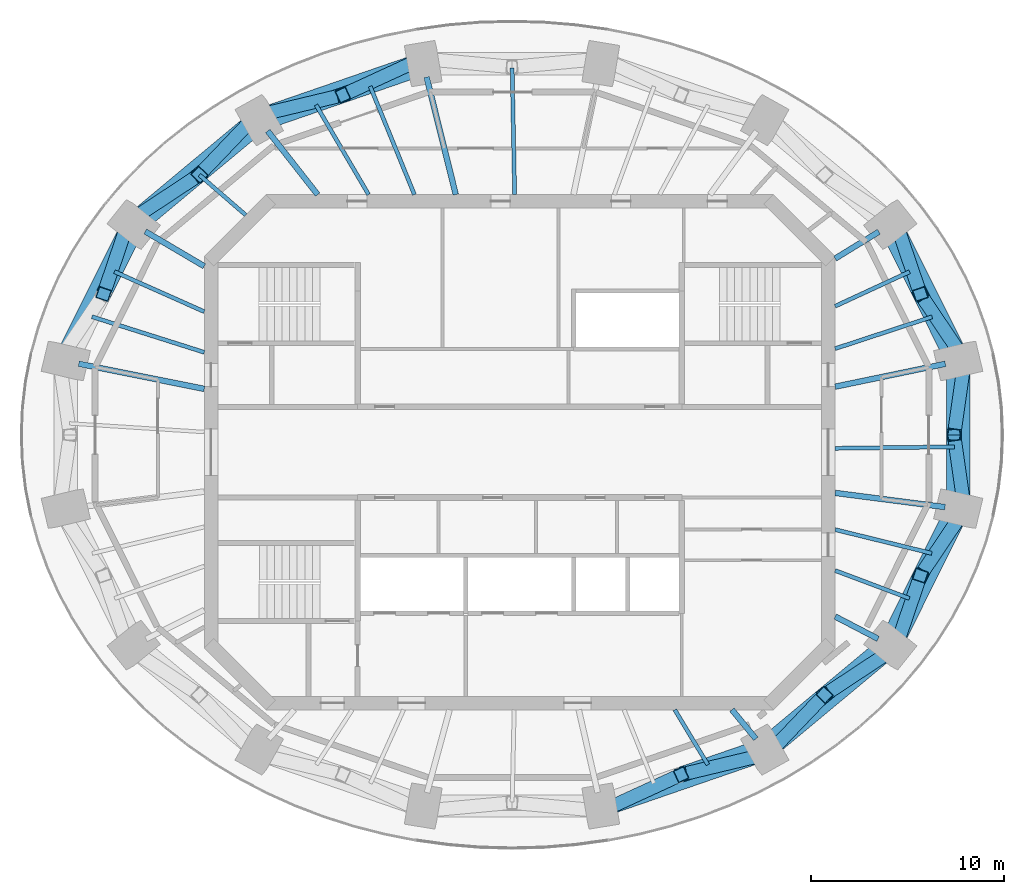
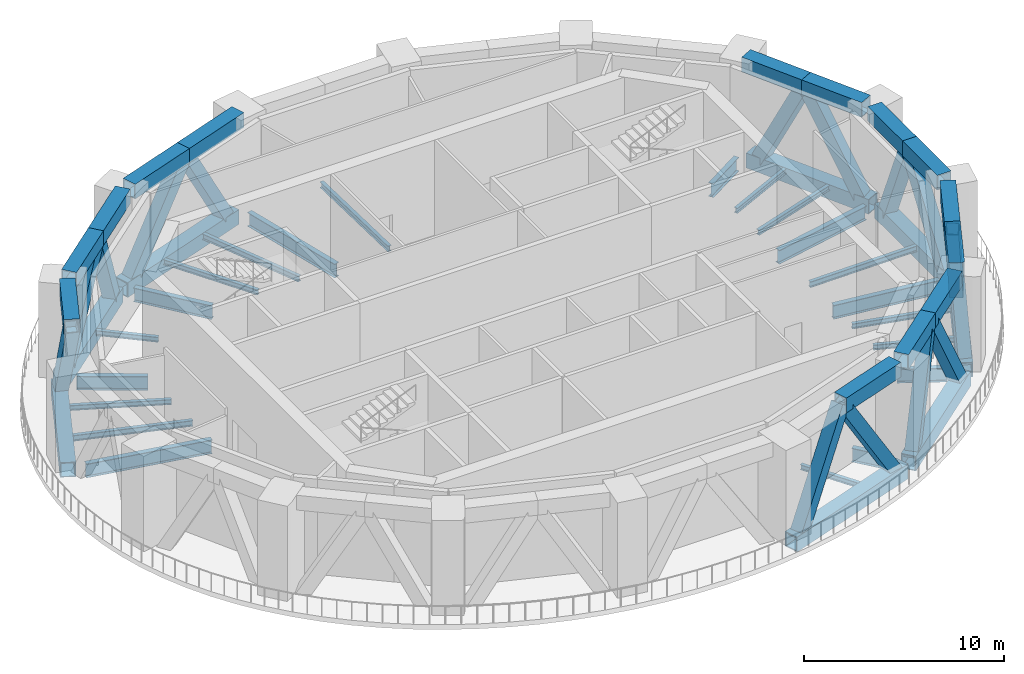
# One storey, part 2 of 9: 37 members, 21 beams.
"""IFC4 building model written with IfcOpenShell, lengths in metres."""

from ifc_helpers import new_model, si_unit, direction, frame, origin, origin_2d, place, context, subcontext, project, spatial, hollow_rectangle, i_section, extrude, material, material_profile, profile_set, type_object, element, save


model = new_model("IFC4")

# Units and contexts
model_context = context("Model", 3, precision=1e-05, world=origin(), true_north=direction((0.0, 1.0)))
body_context = subcontext(model_context, "Body", "Model", "MODEL_VIEW")
ifc_project = project(units=[si_unit("LENGTHUNIT", "METRE"), si_unit("AREAUNIT", "SQUARE_METRE"), si_unit("VOLUMEUNIT", "CUBIC_METRE"), si_unit("PLANEANGLEUNIT", "RADIAN"), si_unit("MASSUNIT", "GRAM", prefix="KILO")], contexts=[model_context])

# Site, building, storey
site_placement = place(None, origin())
site = spatial("IfcSite", under=ifc_project, at=site_placement, CompositionType="ELEMENT")
building_placement = place(site_placement, origin())
building = spatial("IfcBuilding", under=site, at=building_placement, Name="Marenthal Gate Tower", CompositionType="ELEMENT")
storey_placement = place(building_placement, frame((0.0, 0.0, 407.550048828125)))
storey = spatial("IfcBuildingStorey", under=building, at=storey_placement, Name="L92", CompositionType="ELEMENT", Elevation=407.550048828125)

# Beams
ifc_material_1 = material(Name="Steel S355", Category="steel")
ifc_material_profile_1 = material_profile(ifc_material_1, i_section(OverallWidth=0.205078125, OverallDepth=0.31005859375, WebThickness=0.009521484375, FlangeThickness=0.016357421875, FilletRadius=0.0126953125, at=origin_2d()), Name="W310X74")
ifc_profile_set_1 = profile_set([ifc_material_profile_1], Name="Steel S355")
beam_type_1 = type_object("IfcBeamType", Name="W310X74 beam", PredefinedType="BEAM", material=ifc_profile_set_1)
beam_1_placement = place(storey_placement, frame((21.3740234375, 7.015869140625, -0.455078125), z_axis=(-0.950118561426, -0.311888953369, 0.0), x_axis=(0.311888953369, -0.950118561426, 0.0)))
element("IfcBeam", 1, at=beam_1_placement, inside=storey, type_object=beam_type_1, Name="BM-L92-17", PredefinedType="BEAM", context=body_context, shape_type="SweptSolid", body=[
    extrude(i_section(OverallWidth=0.205078125, OverallDepth=0.31005859375, WebThickness=0.009521484375, FlangeThickness=0.016357421875, FilletRadius=0.0126953125, at=origin_2d()), origin(), (0.0, 0.0, 1.0), 5.28759765625),
])
beam_2_placement = place(storey_placement, frame((20.21044921875, 9.35302734375, -0.455078125), z_axis=(-0.907518767411, -0.420011531743, 0.0), x_axis=(0.420011531743, -0.907518767411, 0.0)))
element("IfcBeam", 2, at=beam_2_placement, inside=storey, type_object=beam_type_1, Name="BM-L92-18", PredefinedType="BEAM", context=body_context, shape_type="SweptSolid", body=[
    extrude(i_section(OverallWidth=0.205078125, OverallDepth=0.31005859375, WebThickness=0.009521484375, FlangeThickness=0.016357421875, FilletRadius=0.0126953125, at=origin_2d()), origin(), (0.0, 0.0, 1.0), 4.253662109375),
])
beam_3_placement = place(storey_placement, frame((-10.556396484375, 17.99658203125, -0.455078125), z_axis=(0.505966058557, -0.862553388254, 0.0), x_axis=(0.862553388254, 0.505966058557, 0.0)))
element("IfcBeam", 3, at=beam_3_placement, inside=storey, type_object=beam_type_1, Name="BM-L92-23", PredefinedType="BEAM", context=body_context, shape_type="SweptSolid", body=[
    extrude(i_section(OverallWidth=0.205078125, OverallDepth=0.31005859375, WebThickness=0.009521484375, FlangeThickness=0.016357421875, FilletRadius=0.0126953125, at=origin_2d()), origin(), (0.0, 0.0, 1.0), 5.386962890625),
])
beam_4_placement = place(storey_placement, frame((-16.599365234375, 14.366455078125, -0.455078125), z_axis=(0.756148892586, -0.654399612042, 0.0), x_axis=(0.654399612042, 0.756148892586, 0.0)))
element("IfcBeam", 4, at=beam_4_placement, inside=storey, type_object=beam_type_1, Name="BM-L92-24", PredefinedType="BEAM", context=body_context, shape_type="SweptSolid", body=[
    extrude(i_section(OverallWidth=0.205078125, OverallDepth=0.31005859375, WebThickness=0.009521484375, FlangeThickness=0.016357421875, FilletRadius=0.0126953125, at=origin_2d()), origin(), (0.0, 0.0, 1.0), 3.169677734375),
])
beam_5_placement = place(storey_placement, frame((-21.0078125, 9.358154296875, -0.455078125), z_axis=(0.913457777904, -0.406933517895, 0.0), x_axis=(0.406933517895, 0.913457777904, 0.0)))
element("IfcBeam", 5, at=beam_5_placement, inside=storey, type_object=beam_type_1, Name="BM-L92-25", PredefinedType="BEAM", context=body_context, shape_type="SweptSolid", body=[
    extrude(i_section(OverallWidth=0.205078125, OverallDepth=0.31005859375, WebThickness=0.009521484375, FlangeThickness=0.016357421875, FilletRadius=0.0126953125, at=origin_2d()), origin(), (0.0, 0.0, 1.0), 5.098876953125),
])
beam_6_placement = place(storey_placement, frame((9.751708984375, -16.197998046875, -0.455078125), z_axis=(-0.515791223291, 0.856714312928, 0.0), x_axis=(-0.856714312928, -0.515791223291, 0.0)))
element("IfcBeam", 6, at=beam_6_placement, inside=storey, type_object=beam_type_1, Name="BM-L92-34", PredefinedType="BEAM", context=body_context, shape_type="SweptSolid", body=[
    extrude(i_section(OverallWidth=0.205078125, OverallDepth=0.31005859375, WebThickness=0.009521484375, FlangeThickness=0.016357421875, FilletRadius=0.0126953125, at=origin_2d()), origin(), (0.0, 0.0, 1.0), 3.32421875),
])
beam_7_placement = place(storey_placement, frame((20.197021484375, -7.579833984375, -0.455078125), z_axis=(-0.936229026431, 0.351390395527, 0.0), x_axis=(-0.351390395527, -0.936229026431, 0.0)))
element("IfcBeam", 7, at=beam_7_placement, inside=storey, type_object=beam_type_1, Name="BM-L92-35", PredefinedType="BEAM", context=body_context, shape_type="SweptSolid", body=[
    extrude(i_section(OverallWidth=0.205078125, OverallDepth=0.31005859375, WebThickness=0.009521484375, FlangeThickness=0.016357421875, FilletRadius=0.0126953125, at=origin_2d()), origin(), (0.0, 0.0, 1.0), 4.10888671875),
])
beam_8_placement = place(storey_placement, frame((21.360107421875, -5.244140625, -0.455078125), z_axis=(-0.971161034456, 0.238424506193, 0.0), x_axis=(-0.238424506193, -0.971161034456, 0.0)))
element("IfcBeam", 8, at=beam_8_placement, inside=storey, type_object=beam_type_1, Name="BM-L92-36", PredefinedType="BEAM", context=body_context, shape_type="SweptSolid", body=[
    extrude(i_section(OverallWidth=0.205078125, OverallDepth=0.31005859375, WebThickness=0.009521484375, FlangeThickness=0.016357421875, FilletRadius=0.0126953125, at=origin_2d()), origin(), (0.0, 0.0, 1.0), 5.15869140625),
])
ifc_material_2 = material(Name="Steel S355", Category="steel")
ifc_material_profile_2 = material_profile(ifc_material_2, i_section(OverallWidth=0.205078125, OverallDepth=0.35302734375, WebThickness=0.009521484375, FlangeThickness=0.016845703125, FilletRadius=0.014892578125, at=origin_2d()), Name="W360X79")
ifc_profile_set_2 = profile_set([ifc_material_profile_2], Name="Steel S355")
beam_type_2 = type_object("IfcBeamType", Name="W360X79 beam", PredefinedType="BEAM", material=ifc_profile_set_2)
beam_9_placement = place(storey_placement, frame((-0.39208984375, 19.91943359375, -0.4765625), z_axis=(0.019692924782, -0.999806075553, 0.0), x_axis=(0.999806075553, 0.019692924782, 0.0)))
element("IfcBeam", 9, at=beam_9_placement, inside=storey, type_object=beam_type_2, Name="BM-L92-21", PredefinedType="BEAM", context=body_context, shape_type="SweptSolid", body=[
    extrude(i_section(OverallWidth=0.205078125, OverallDepth=0.35302734375, WebThickness=0.009521484375, FlangeThickness=0.016845703125, FilletRadius=0.014892578125, at=origin_2d()), origin(), (0.0, 0.0, 1.0), 6.570556640625),
])
beam_10_placement = place(storey_placement, frame((-7.751220703125, 18.963134765625, -0.4765625), z_axis=(0.378377295658, -0.925651458234, 0.0), x_axis=(0.925651458234, 0.378377295658, 0.0)))
element("IfcBeam", 10, at=beam_10_placement, inside=storey, type_object=beam_type_2, Name="BM-L92-22", PredefinedType="BEAM", context=body_context, shape_type="SweptSolid", body=[
    extrude(i_section(OverallWidth=0.205078125, OverallDepth=0.35302734375, WebThickness=0.009521484375, FlangeThickness=0.016845703125, FilletRadius=0.014892578125, at=origin_2d()), origin(), (0.0, 0.0, 1.0), 6.06396484375),
])
beam_11_placement = place(storey_placement, frame((-22.172119140625, 7.019775390625, -0.4765625), z_axis=(0.95336005794, -0.301835385476, 0.0), x_axis=(0.301835385476, 0.95336005794, 0.0)))
element("IfcBeam", 11, at=beam_11_placement, inside=storey, type_object=beam_type_2, Name="BM-L92-26", PredefinedType="BEAM", context=body_context, shape_type="SweptSolid", body=[
    extrude(i_section(OverallWidth=0.205078125, OverallDepth=0.35302734375, WebThickness=0.009521484375, FlangeThickness=0.016845703125, FilletRadius=0.014892578125, at=origin_2d()), origin(), (0.0, 0.0, 1.0), 6.10693359375),
])
beam_12_placement = place(storey_placement, frame((22.542724609375, 0.277099609375, -0.4765625), z_axis=(-0.999924358492, -0.012299483534, 0.0), x_axis=(0.012299483534, -0.999924358492, 0.0)))
element("IfcBeam", 12, at=beam_12_placement, inside=storey, type_object=beam_type_2, Name="BM-L92-37", PredefinedType="BEAM", context=body_context, shape_type="SweptSolid", body=[
    extrude(i_section(OverallWidth=0.205078125, OverallDepth=0.35302734375, WebThickness=0.009521484375, FlangeThickness=0.016845703125, FilletRadius=0.014892578125, at=origin_2d()), origin(), (0.0, 0.0, 1.0), 6.193115234375),
])
ifc_material_3 = material(Name="Steel S355", Category="steel")
ifc_material_profile_3 = material_profile(ifc_material_3, i_section(OverallWidth=0.2919921875, OverallDepth=0.841064453125, WebThickness=0.0146484375, FlangeThickness=0.021728515625, FilletRadius=0.017822265625, at=origin_2d()), Name="W840X193")
ifc_profile_set_3 = profile_set([ifc_material_profile_3], Name="Steel S355")
beam_type_3 = type_object("IfcBeamType", Name="W840X193 beam", PredefinedType="BEAM", material=ifc_profile_set_3)
beam_13_placement = place(storey_placement, frame((22.06103515625, 4.579833984375, -0.720458984375), z_axis=(-0.979125036524, -0.203258856761, 0.0), x_axis=(0.203258856761, -0.979125036524, 0.0)))
element("IfcBeam", 13, at=beam_13_placement, inside=storey, type_object=beam_type_3, Name="BM-L92-01", PredefinedType="BEAM", context=body_context, shape_type="SweptSolid", body=[
    extrude(i_section(OverallWidth=0.2919921875, OverallDepth=0.841064453125, WebThickness=0.0146484375, FlangeThickness=0.021728515625, FilletRadius=0.017822265625, at=origin_2d()), origin(), (0.0, 0.0, 1.0), 5.832763671875),
])
beam_14_placement = place(storey_placement, frame((18.61572265625, 11.42578125, -0.720458984375), z_axis=(-0.852263174426, -0.523113258786, 0.0), x_axis=(0.523113258786, -0.852263174426, 0.0)))
element("IfcBeam", 14, at=beam_14_placement, inside=storey, type_object=beam_type_3, Name="BM-L92-02", PredefinedType="BEAM", context=body_context, shape_type="SweptSolid", body=[
    extrude(i_section(OverallWidth=0.2919921875, OverallDepth=0.841064453125, WebThickness=0.0146484375, FlangeThickness=0.021728515625, FilletRadius=0.017822265625, at=origin_2d()), origin(), (0.0, 0.0, 1.0), 2.658447265625),
])
beam_15_placement = place(storey_placement, frame((-4.82568359375, 19.443115234375, -0.720458984375), z_axis=(0.240915685807, -0.970546048538, 0.0), x_axis=(0.970546048538, 0.240915685807, 0.0)))
element("IfcBeam", 15, at=beam_15_placement, inside=storey, type_object=beam_type_3, Name="BM-L92-05", PredefinedType="BEAM", context=body_context, shape_type="SweptSolid", body=[
    extrude(i_section(OverallWidth=0.2919921875, OverallDepth=0.841064453125, WebThickness=0.0146484375, FlangeThickness=0.021728515625, FilletRadius=0.017822265625, at=origin_2d()), origin(), (0.0, 0.0, 1.0), 6.27783203125),
])
beam_16_placement = place(storey_placement, frame((-13.06005859375, 16.64599609375, -0.720458984375), z_axis=(0.617275763578, -0.786746866342, 0.0), x_axis=(0.786746866342, 0.617275763578, 0.0)))
element("IfcBeam", 16, at=beam_16_placement, inside=storey, type_object=beam_type_3, Name="BM-L92-06", PredefinedType="BEAM", context=body_context, shape_type="SweptSolid", body=[
    extrude(i_section(OverallWidth=0.2919921875, OverallDepth=0.841064453125, WebThickness=0.0146484375, FlangeThickness=0.021728515625, FilletRadius=0.017822265625, at=origin_2d()), origin(), (0.0, 0.0, 1.0), 4.189208984375),
])
beam_17_placement = place(storey_placement, frame((-19.405517578125, 11.4384765625, -0.720458984375), z_axis=(0.861475549922, -0.50779905168, 0.0), x_axis=(0.50779905168, 0.861475549922, 0.0)))
element("IfcBeam", 17, at=beam_17_placement, inside=storey, type_object=beam_type_3, Name="BM-L92-07", PredefinedType="BEAM", context=body_context, shape_type="SweptSolid", body=[
    extrude(i_section(OverallWidth=0.2919921875, OverallDepth=0.841064453125, WebThickness=0.0146484375, FlangeThickness=0.021728515625, FilletRadius=0.017822265625, at=origin_2d()), origin(), (0.0, 0.0, 1.0), 3.546630859375),
])
beam_18_placement = place(storey_placement, frame((-22.859619140625, 4.585693359375, -0.720458984375), z_axis=(0.980464529502, -0.196695974508, 0.0), x_axis=(0.196695974508, 0.980464529502, 0.0)))
element("IfcBeam", 18, at=beam_18_placement, inside=storey, type_object=beam_type_3, Name="BM-L92-08", PredefinedType="BEAM", context=body_context, shape_type="SweptSolid", body=[
    extrude(i_section(OverallWidth=0.2919921875, OverallDepth=0.841064453125, WebThickness=0.0146484375, FlangeThickness=0.021728515625, FilletRadius=0.017822265625, at=origin_2d()), origin(), (0.0, 0.0, 1.0), 6.63916015625),
])
beam_19_placement = place(storey_placement, frame((12.24072265625, -14.85693359375, -0.720458984375), z_axis=(-0.635869414571, 0.77179666209, 0.0), x_axis=(-0.77179666209, -0.635869414571, 0.0)))
element("IfcBeam", 19, at=beam_19_placement, inside=storey, type_object=beam_type_3, Name="BM-L92-14", PredefinedType="BEAM", context=body_context, shape_type="SweptSolid", body=[
    extrude(i_section(OverallWidth=0.2919921875, OverallDepth=0.841064453125, WebThickness=0.0146484375, FlangeThickness=0.021728515625, FilletRadius=0.017822265625, at=origin_2d()), origin(), (0.0, 0.0, 1.0), 1.952392578125),
])
beam_20_placement = place(storey_placement, frame((18.5751953125, -9.67626953125, -0.720458984375), z_axis=(-0.886869229727, 0.462020529158, 0.0), x_axis=(-0.462020529158, -0.886869229727, 0.0)))
element("IfcBeam", 20, at=beam_20_placement, inside=storey, type_object=beam_type_3, Name="BM-L92-15", PredefinedType="BEAM", context=body_context, shape_type="SweptSolid", body=[
    extrude(i_section(OverallWidth=0.2919921875, OverallDepth=0.841064453125, WebThickness=0.0146484375, FlangeThickness=0.021728515625, FilletRadius=0.017822265625, at=origin_2d()), origin(), (0.0, 0.0, 1.0), 2.509033203125),
])
beam_21_placement = place(storey_placement, frame((22.044921875, -2.846923828125, -0.720458984375), z_axis=(-0.99176062439, 0.128104894165, 0.0), x_axis=(-0.128104894165, -0.99176062439, 0.0)))
element("IfcBeam", 21, at=beam_21_placement, inside=storey, type_object=beam_type_3, Name="BM-L92-16", PredefinedType="BEAM", context=body_context, shape_type="SweptSolid", body=[
    extrude(i_section(OverallWidth=0.2919921875, OverallDepth=0.841064453125, WebThickness=0.0146484375, FlangeThickness=0.021728515625, FilletRadius=0.017822265625, at=origin_2d()), origin(), (0.0, 0.0, 1.0), 5.7421875),
])

# Members
ifc_material_4 = material(Name="Steel S460", Category="steel")
ifc_material_profile_4 = material_profile(ifc_material_4, hollow_rectangle(XDim=0.800048828125, YDim=0.89990234375, WallThickness=0.050048828125, at=origin_2d()), Name="BOX 900X800X50")
ifc_profile_set_4 = profile_set([ifc_material_profile_4], Name="Steel S460")
member_type_1 = type_object("IfcMemberType", Name="belt chord BOX 900X800X50", PredefinedType="CHORD", material=ifc_profile_set_4)
member_1_placement = place(storey_placement, frame((22.799560546875, 5.05029296875, -0.75), z_axis=(-0.445708181457, 0.895178315746, 0.0), x_axis=(-0.895178315746, -0.445708181457, 0.0)))
element("IfcMember", 22, at=member_1_placement, inside=storey, type_object=member_type_1, Name="BT-L92-01", PredefinedType="CHORD", context=body_context, shape_type="SweptSolid", body=[
    extrude(hollow_rectangle(XDim=0.800048828125, YDim=0.89990234375, WallThickness=0.050048828125, at=origin_2d()), origin(), (0.0, 0.0, 1.0), 7.33349609375),
])
for number, where, z_axis, x_axis, name in (
    (23, (22.3662109375, 4.97900390625, 5.349853515625), (-0.445663735299, 0.895200444057, 0.0), (-0.895200444057, -0.445663735299, 0.0), "BT-L92-02"),
    (24, (20.764892578125, 8.195556640625, 5.349853515625), (-0.445663735299, 0.895200444057, 0.0), (-0.895200444057, -0.445663735299, 0.0), "BT-L92-03"),
):
    element("IfcMember", number, at=place(storey_placement, frame(where, z_axis=z_axis, x_axis=x_axis)), inside=storey, type_object=member_type_1, Name=name, PredefinedType="CHORD", context=body_context, shape_type="SweptSolid", body=[
        extrude(hollow_rectangle(XDim=0.800048828125, YDim=0.89990234375, WallThickness=0.050048828125, at=origin_2d()), origin(), (0.0, 0.0, 1.0), 3.593017578125),
    ])
member_2_placement = place(storey_placement, frame((-5.33740234375, 20.218017578125, -0.75), z_axis=(-0.945442651312, -0.325788571131, 0.0), x_axis=(0.325788571131, -0.945442651312, 0.0)))
element("IfcMember", 25, at=member_2_placement, inside=storey, type_object=member_type_1, Name="BT-L92-21", PredefinedType="CHORD", context=body_context, shape_type="SweptSolid", body=[
    extrude(hollow_rectangle(XDim=0.800048828125, YDim=0.89990234375, WallThickness=0.050048828125, at=origin_2d()), origin(), (0.0, 0.0, 1.0), 8.45068359375),
])
member_3_placement = place(storey_placement, frame((-5.251220703125, 19.860107421875, 5.349853515625), z_axis=(-0.945427473208, -0.325832614855, 0.0), x_axis=(0.325832614855, -0.945427473208, 0.0)))
element("IfcMember", 26, at=member_3_placement, inside=storey, type_object=member_type_1, Name="BT-L92-22", PredefinedType="CHORD", context=body_context, shape_type="SweptSolid", body=[
    extrude(hollow_rectangle(XDim=0.800048828125, YDim=0.89990234375, WallThickness=0.050048828125, at=origin_2d()), origin(), (0.0, 0.0, 1.0), 4.141357421875),
])
member_4_placement = place(storey_placement, frame((-9.16650390625, 18.5107421875, 5.349853515625), z_axis=(-0.94542121384, -0.325850776309, 0.0), x_axis=(0.325850776309, -0.94542121384, 0.0)))
element("IfcMember", 27, at=member_4_placement, inside=storey, type_object=member_type_1, Name="BT-L92-23", PredefinedType="CHORD", context=body_context, shape_type="SweptSolid", body=[
    extrude(hollow_rectangle(XDim=0.800048828125, YDim=0.89990234375, WallThickness=0.050048828125, at=origin_2d()), origin(), (0.0, 0.0, 1.0), 4.14111328125),
])
member_5_placement = place(storey_placement, frame((-13.864013671875, 17.162109375, -0.75), z_axis=(-0.768754739732, -0.639543704636, 0.0), x_axis=(0.639543704636, -0.768754739732, 0.0)))
element("IfcMember", 28, at=member_5_placement, inside=storey, type_object=member_type_1, Name="BT-L92-26", PredefinedType="CHORD", context=body_context, shape_type="SweptSolid", body=[
    extrude(hollow_rectangle(XDim=0.800048828125, YDim=0.89990234375, WallThickness=0.050048828125, at=origin_2d()), origin(), (0.0, 0.0, 1.0), 7.9111328125),
])
member_6_placement = place(storey_placement, frame((-13.618408203125, 16.858642578125, 5.349853515625), z_axis=(-0.768706297247, -0.639601929776, 0.0), x_axis=(0.639601929776, -0.768706297247, 0.0)))
element("IfcMember", 29, at=member_6_placement, inside=storey, type_object=member_type_1, Name="BT-L92-27", PredefinedType="CHORD", context=body_context, shape_type="SweptSolid", body=[
    extrude(hollow_rectangle(XDim=0.800048828125, YDim=0.89990234375, WallThickness=0.050048828125, at=origin_2d()), origin(), (0.0, 0.0, 1.0), 3.876708984375),
])
member_7_placement = place(storey_placement, frame((-16.598388671875, 14.379150390625, 5.349853515625), z_axis=(-0.768737261609, -0.63956471339, 0.0), x_axis=(0.63956471339, -0.768737261609, 0.0)))
element("IfcMember", 30, at=member_7_placement, inside=storey, type_object=member_type_1, Name="BT-L92-28", PredefinedType="CHORD", context=body_context, shape_type="SweptSolid", body=[
    extrude(hollow_rectangle(XDim=0.800048828125, YDim=0.89990234375, WallThickness=0.050048828125, at=origin_2d()), origin(), (0.0, 0.0, 1.0), 3.87646484375),
])
member_8_placement = place(storey_placement, frame((-20.3310546875, 11.614990234375, -0.75), z_axis=(-0.445708181457, -0.895178315746, 0.0), x_axis=(0.895178315746, -0.445708181457, 0.0)))
element("IfcMember", 31, at=member_8_placement, inside=storey, type_object=member_type_1, Name="BT-L92-31", PredefinedType="CHORD", context=body_context, shape_type="SweptSolid", body=[
    extrude(hollow_rectangle(XDim=0.800048828125, YDim=0.89990234375, WallThickness=0.050048828125, at=origin_2d()), origin(), (0.0, 0.0, 1.0), 7.33349609375),
])
member_9_placement = place(storey_placement, frame((-19.963623046875, 11.412109375, 5.349853515625), z_axis=(-0.445663735299, -0.895200444057, 0.0), x_axis=(0.895200444057, -0.445663735299, 0.0)))
element("IfcMember", 32, at=member_9_placement, inside=storey, type_object=member_type_1, Name="BT-L92-32", PredefinedType="CHORD", context=body_context, shape_type="SweptSolid", body=[
    extrude(hollow_rectangle(XDim=0.800048828125, YDim=0.89990234375, WallThickness=0.050048828125, at=origin_2d()), origin(), (0.0, 0.0, 1.0), 3.593017578125),
])
member_10_placement = place(storey_placement, frame((4.53759765625, -18.418212890625, -0.75), z_axis=(0.945430685737, 0.325823293315, 0.0), x_axis=(-0.325823293315, 0.945430685737, 0.0)))
element("IfcMember", 33, at=member_10_placement, inside=storey, type_object=member_type_1, Name="BT-L92-61", PredefinedType="CHORD", context=body_context, shape_type="SweptSolid", body=[
    extrude(hollow_rectangle(XDim=0.800048828125, YDim=0.89990234375, WallThickness=0.050048828125, at=origin_2d()), origin(), (0.0, 0.0, 1.0), 8.45068359375),
])
member_11_placement = place(storey_placement, frame((8.366455078125, -16.710693359375, 5.349853515625), z_axis=(0.94542121384, 0.325850776309, 0.0), x_axis=(-0.325850776309, 0.94542121384, 0.0)))
element("IfcMember", 34, at=member_11_placement, inside=storey, type_object=member_type_1, Name="BT-L92-63", PredefinedType="CHORD", context=body_context, shape_type="SweptSolid", body=[
    extrude(hollow_rectangle(XDim=0.800048828125, YDim=0.89990234375, WallThickness=0.050048828125, at=origin_2d()), origin(), (0.0, 0.0, 1.0), 4.14111328125),
])
member_12_placement = place(storey_placement, frame((13.064208984375, -15.3623046875, -0.75), z_axis=(0.768739567401, 0.639561941889, 0.0), x_axis=(-0.639561941889, 0.768739567401, 0.0)))
element("IfcMember", 35, at=member_12_placement, inside=storey, type_object=member_type_1, Name="BT-L92-66", PredefinedType="CHORD", context=body_context, shape_type="SweptSolid", body=[
    extrude(hollow_rectangle(XDim=0.800048828125, YDim=0.89990234375, WallThickness=0.050048828125, at=origin_2d()), origin(), (0.0, 0.0, 1.0), 7.911376953125),
])
member_13_placement = place(storey_placement, frame((12.818359375, -15.05859375, 5.349853515625), z_axis=(0.768737261609, 0.63956471339, 0.0), x_axis=(-0.63956471339, 0.768737261609, 0.0)))
element("IfcMember", 36, at=member_13_placement, inside=storey, type_object=member_type_1, Name="BT-L92-67", PredefinedType="CHORD", context=body_context, shape_type="SweptSolid", body=[
    extrude(hollow_rectangle(XDim=0.800048828125, YDim=0.89990234375, WallThickness=0.050048828125, at=origin_2d()), origin(), (0.0, 0.0, 1.0), 3.87646484375),
])
member_14_placement = place(storey_placement, frame((15.79833984375, -12.579345703125, 5.349853515625), z_axis=(0.768706297247, 0.639601929776, 0.0), x_axis=(-0.639601929776, 0.768706297247, 0.0)))
element("IfcMember", 37, at=member_14_placement, inside=storey, type_object=member_type_1, Name="BT-L92-68", PredefinedType="CHORD", context=body_context, shape_type="SweptSolid", body=[
    extrude(hollow_rectangle(XDim=0.800048828125, YDim=0.89990234375, WallThickness=0.050048828125, at=origin_2d()), origin(), (0.0, 0.0, 1.0), 3.876708984375),
])
member_15_placement = place(storey_placement, frame((19.531005859375, -9.81494140625, -0.75), z_axis=(0.445708181457, 0.895178315746, 0.0), x_axis=(-0.895178315746, 0.445708181457, 0.0)))
element("IfcMember", 38, at=member_15_placement, inside=storey, type_object=member_type_1, Name="BT-L92-71", PredefinedType="CHORD", context=body_context, shape_type="SweptSolid", body=[
    extrude(hollow_rectangle(XDim=0.800048828125, YDim=0.89990234375, WallThickness=0.050048828125, at=origin_2d()), origin(), (0.0, 0.0, 1.0), 7.33349609375),
])
member_16_placement = place(storey_placement, frame((19.16357421875, -9.612060546875, 5.349853515625), z_axis=(0.445663735299, 0.895200444057, 0.0), x_axis=(-0.895200444057, 0.445663735299, 0.0)))
element("IfcMember", 39, at=member_16_placement, inside=storey, type_object=member_type_1, Name="BT-L92-72", PredefinedType="CHORD", context=body_context, shape_type="SweptSolid", body=[
    extrude(hollow_rectangle(XDim=0.800048828125, YDim=0.89990234375, WallThickness=0.050048828125, at=origin_2d()), origin(), (0.0, 0.0, 1.0), 3.593017578125),
])
member_17_placement = place(storey_placement, frame((20.764892578125, -6.3955078125, 5.349853515625), z_axis=(0.44569084473, 0.895186947472, 0.0), x_axis=(-0.895186947472, 0.44569084473, 0.0)))
element("IfcMember", 40, at=member_17_placement, inside=storey, type_object=member_type_1, Name="BT-L92-73", PredefinedType="CHORD", context=body_context, shape_type="SweptSolid", body=[
    extrude(hollow_rectangle(XDim=0.800048828125, YDim=0.89990234375, WallThickness=0.050048828125, at=origin_2d()), origin(), (0.0, 0.0, 1.0), 3.5927734375),
])
member_18_placement = place(storey_placement, frame((22.942626953125, -2.640380859375, -0.75), z_axis=(0.0, 1.0, 0.0), x_axis=(-1.0, 0.0, 0.0)))
element("IfcMember", 41, at=member_18_placement, inside=storey, type_object=member_type_1, Name="BT-L92-76", PredefinedType="CHORD", context=body_context, shape_type="SweptSolid", body=[
    extrude(hollow_rectangle(XDim=0.800048828125, YDim=0.89990234375, WallThickness=0.050048828125, at=origin_2d()), origin(), (0.0, 0.0, 1.0), 7.08056640625),
])
member_19_placement = place(storey_placement, frame((22.50927734375, -2.569091796875, 5.349853515625), z_axis=(0.0, 1.0, 0.0), x_axis=(-1.0, 0.0, 0.0)))
element("IfcMember", 42, at=member_19_placement, inside=storey, type_object=member_type_1, Name="BT-L92-77", PredefinedType="CHORD", context=body_context, shape_type="SweptSolid", body=[
    extrude(hollow_rectangle(XDim=0.800048828125, YDim=0.89990234375, WallThickness=0.050048828125, at=origin_2d()), origin(), (0.0, 0.0, 1.0), 3.468994140625),
])
member_20_placement = place(storey_placement, frame((22.50927734375, 0.89990234375, 5.349853515625), z_axis=(0.0, 1.0, 0.0), x_axis=(-1.0, 0.0, 0.0)))
element("IfcMember", 43, at=member_20_placement, inside=storey, type_object=member_type_1, Name="BT-L92-78", PredefinedType="CHORD", context=body_context, shape_type="SweptSolid", body=[
    extrude(hollow_rectangle(XDim=0.800048828125, YDim=0.89990234375, WallThickness=0.050048828125, at=origin_2d()), origin(), (0.0, 0.0, 1.0), 3.46923828125),
])
ifc_material_5 = material(Name="Steel S355", Category="steel")
ifc_material_profile_5 = material_profile(ifc_material_5, hollow_rectangle(XDim=0.699951171875, YDim=0.699951171875, WallThickness=0.0400390625, at=origin_2d()), Name="BOX 700X700X40")
ifc_profile_set_5 = profile_set([ifc_material_profile_5], Name="Steel S355")
member_type_2 = type_object("IfcMemberType", Name="belt diagonal BOX 700X700X40", PredefinedType="BRACE", material=ifc_profile_set_5)
member_21_placement = place(storey_placement, frame((22.57666015625, 5.497802734375, -0.75), z_axis=(-0.262138776941, 0.390329266298, 0.88256802882), x_axis=(-0.830161522762, -0.557522955694, 0.0)))
element("IfcMember", 44, at=member_21_placement, inside=storey, type_object=member_type_2, Name="BT-L92-04", PredefinedType="BRACE", context=body_context, shape_type="SweptSolid", body=[
    extrude(hollow_rectangle(XDim=0.699951171875, YDim=0.699951171875, WallThickness=0.0400390625, at=origin_2d()), origin(), (0.0, 0.0, 1.0), 6.911376953125),
])
member_22_placement = place(storey_placement, frame((20.764892578125, 8.195556640625, 5.349853515625), z_axis=(-0.147371616298, 0.433182157348, -0.88917648713), x_axis=(-0.946712993728, -0.322078418257, 0.0)))
element("IfcMember", 45, at=member_22_placement, inside=storey, type_object=member_type_2, Name="BT-L92-05", PredefinedType="BRACE", context=body_context, shape_type="SweptSolid", body=[
    extrude(hollow_rectangle(XDim=0.699951171875, YDim=0.699951171875, WallThickness=0.0400390625, at=origin_2d()), origin(), (0.0, 0.0, 1.0), 6.860107421875),
])
member_23_placement = place(storey_placement, frame((-5.810302734375, 20.05517578125, -0.75), z_axis=(-0.470619765812, -0.216566570053, 0.855345518935), x_axis=(0.418035412002, -0.908430731709, 0.0)))
element("IfcMember", 46, at=member_23_placement, inside=storey, type_object=member_type_2, Name="BT-L92-24", PredefinedType="BRACE", context=body_context, shape_type="SweptSolid", body=[
    extrude(hollow_rectangle(XDim=0.699951171875, YDim=0.699951171875, WallThickness=0.0400390625, at=origin_2d()), origin(), (0.0, 0.0, 1.0), 7.13134765625),
])
member_24_placement = place(storey_placement, frame((-9.16650390625, 18.5107421875, 5.349853515625), z_axis=(-0.513463864694, -0.122944445823, -0.849258219209), x_axis=(0.232859153369, -0.972510470222, 0.0)))
element("IfcMember", 47, at=member_24_placement, inside=storey, type_object=member_type_2, Name="BT-L92-25", PredefinedType="BRACE", context=body_context, shape_type="SweptSolid", body=[
    extrude(hollow_rectangle(XDim=0.699951171875, YDim=0.699951171875, WallThickness=0.0400390625, at=origin_2d()), origin(), (0.0, 0.0, 1.0), 7.1826171875),
])
member_25_placement = place(storey_placement, frame((-14.24853515625, 16.84228515625, -0.75), z_axis=(-0.336390694666, -0.352607347375, 0.873217818828), x_axis=(0.723549266914, -0.690272742, 0.0)))
element("IfcMember", 48, at=member_25_placement, inside=storey, type_object=member_type_2, Name="BT-L92-29", PredefinedType="BRACE", context=body_context, shape_type="SweptSolid", body=[
    extrude(hollow_rectangle(XDim=0.699951171875, YDim=0.699951171875, WallThickness=0.0400390625, at=origin_2d()), origin(), (0.0, 0.0, 1.0), 6.985595703125),
])
member_26_placement = place(storey_placement, frame((-16.598388671875, 14.379150390625, 5.349853515625), z_axis=(-0.419817841204, -0.277238197021, -0.864229114483), x_axis=(0.551061534742, -0.834464609752, 0.0)))
element("IfcMember", 49, at=member_26_placement, inside=storey, type_object=member_type_2, Name="BT-L92-30", PredefinedType="BRACE", context=body_context, shape_type="SweptSolid", body=[
    extrude(hollow_rectangle(XDim=0.699951171875, YDim=0.699951171875, WallThickness=0.0400390625, at=origin_2d()), origin(), (0.0, 0.0, 1.0), 7.05810546875),
])
member_27_placement = place(storey_placement, frame((-20.553955078125, 11.167236328125, -0.75), z_axis=(-0.147371616298, -0.433182157348, 0.88917648713), x_axis=(0.946712993728, -0.322078418257, 0.0)))
element("IfcMember", 50, at=member_27_placement, inside=storey, type_object=member_type_2, Name="BT-L92-34", PredefinedType="BRACE", context=body_context, shape_type="SweptSolid", body=[
    extrude(hollow_rectangle(XDim=0.699951171875, YDim=0.699951171875, WallThickness=0.0400390625, at=origin_2d()), origin(), (0.0, 0.0, 1.0), 6.860107421875),
])
member_28_placement = place(storey_placement, frame((5.01025390625, -18.255126953125, -0.75), z_axis=(0.470619765812, 0.216566570053, 0.855345518935), x_axis=(-0.418035412002, 0.908430731709, 0.0)))
element("IfcMember", 51, at=member_28_placement, inside=storey, type_object=member_type_2, Name="BT-L92-64", PredefinedType="BRACE", context=body_context, shape_type="SweptSolid", body=[
    extrude(hollow_rectangle(XDim=0.699951171875, YDim=0.699951171875, WallThickness=0.0400390625, at=origin_2d()), origin(), (0.0, 0.0, 1.0), 7.13134765625),
])
member_29_placement = place(storey_placement, frame((8.366455078125, -16.710693359375, 5.349853515625), z_axis=(0.513466010161, 0.122910968671, -0.849261767766), x_axis=(-0.232798263766, 0.972525047692, 0.0)))
element("IfcMember", 52, at=member_29_placement, inside=storey, type_object=member_type_2, Name="BT-L92-65", PredefinedType="BRACE", context=body_context, shape_type="SweptSolid", body=[
    extrude(hollow_rectangle(XDim=0.699951171875, YDim=0.699951171875, WallThickness=0.0400390625, at=origin_2d()), origin(), (0.0, 0.0, 1.0), 7.1826171875),
])
member_30_placement = place(storey_placement, frame((13.448486328125, -15.04248046875, -0.75), z_axis=(0.336390694666, 0.352607347375, 0.873217818828), x_axis=(-0.723549266914, 0.690272742, 0.0)))
element("IfcMember", 53, at=member_30_placement, inside=storey, type_object=member_type_2, Name="BT-L92-69", PredefinedType="BRACE", context=body_context, shape_type="SweptSolid", body=[
    extrude(hollow_rectangle(XDim=0.699951171875, YDim=0.699951171875, WallThickness=0.0400390625, at=origin_2d()), origin(), (0.0, 0.0, 1.0), 6.985595703125),
])
member_31_placement = place(storey_placement, frame((15.79833984375, -12.579345703125, 5.349853515625), z_axis=(0.419813815106, 0.277270127864, -0.864220826433), x_axis=(-0.551109407421, 0.834432993746, 0.0)))
element("IfcMember", 54, at=member_31_placement, inside=storey, type_object=member_type_2, Name="BT-L92-70", PredefinedType="BRACE", context=body_context, shape_type="SweptSolid", body=[
    extrude(hollow_rectangle(XDim=0.699951171875, YDim=0.699951171875, WallThickness=0.0400390625, at=origin_2d()), origin(), (0.0, 0.0, 1.0), 7.05810546875),
])
member_32_placement = place(storey_placement, frame((19.75390625, -9.3671875, -0.75), z_axis=(0.147371616298, 0.433182157348, 0.88917648713), x_axis=(-0.946712993728, 0.322078418257, 0.0)))
element("IfcMember", 55, at=member_32_placement, inside=storey, type_object=member_type_2, Name="BT-L92-74", PredefinedType="BRACE", context=body_context, shape_type="SweptSolid", body=[
    extrude(hollow_rectangle(XDim=0.699951171875, YDim=0.699951171875, WallThickness=0.0400390625, at=origin_2d()), origin(), (0.0, 0.0, 1.0), 6.860107421875),
])
member_33_placement = place(storey_placement, frame((20.764892578125, -6.3955078125, 5.349853515625), z_axis=(0.262138776941, 0.390329266298, -0.88256802882), x_axis=(-0.830161522762, 0.557522955694, 0.0)))
element("IfcMember", 56, at=member_33_placement, inside=storey, type_object=member_type_2, Name="BT-L92-75", PredefinedType="BRACE", context=body_context, shape_type="SweptSolid", body=[
    extrude(hollow_rectangle(XDim=0.699951171875, YDim=0.699951171875, WallThickness=0.0400390625, at=origin_2d()), origin(), (0.0, 0.0, 1.0), 6.911376953125),
])
for number, where, z_axis, x_axis, name in (
    (57, (22.942626953125, -2.140380859375, -0.75), (-0.063454477605, 0.445182315279, 0.893188801673), (-0.989993963732, -0.14110971538, 0.0), "BT-L92-79"),
    (58, (22.50927734375, 0.89990234375, 5.349853515625), (0.063454477605, 0.445182315279, -0.893188801673), (-0.989993963732, 0.14110971538, 0.0), "BT-L92-80"),
):
    element("IfcMember", number, at=place(storey_placement, frame(where, z_axis=z_axis, x_axis=x_axis)), inside=storey, type_object=member_type_2, Name=name, PredefinedType="BRACE", context=body_context, shape_type="SweptSolid", body=[
        extrude(hollow_rectangle(XDim=0.699951171875, YDim=0.699951171875, WallThickness=0.0400390625, at=origin_2d()), origin(), (0.0, 0.0, 1.0), 6.829345703125),
    ])

save(model, "model.ifc")
